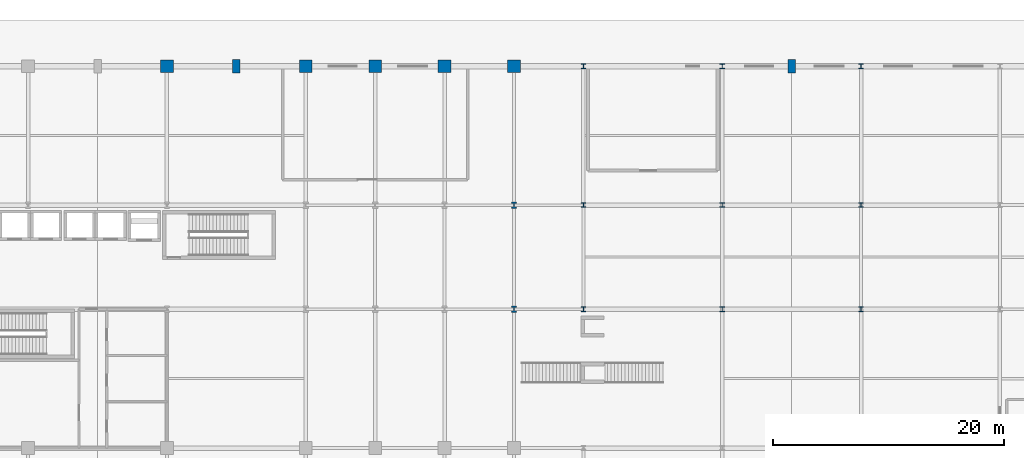
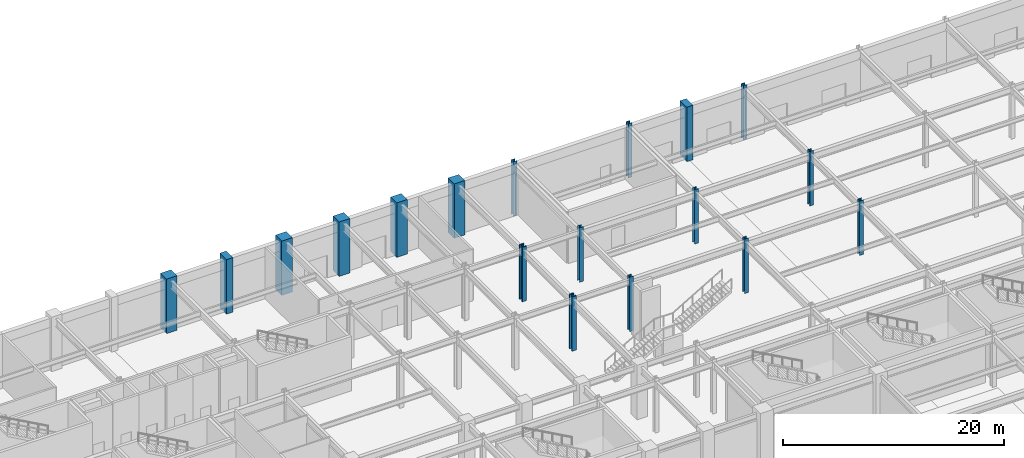
# One storey, part 10 of 44: 18 columns.
"""IFC4 building model written with IfcOpenShell, lengths in metres."""

from ifc_helpers import new_model, si_unit, direction, frame, origin, origin_2d, place, context, subcontext, project, spatial, rectangle, i_section, extrude, material, material_profile, profile_set, type_object, element, save


model = new_model("IFC4")

# Units and contexts
model_context = context("Model", 3, precision=1e-05, world=origin(), true_north=direction((0.0, 1.0)))
body_context = subcontext(model_context, "Body", "Model", "MODEL_VIEW")
ifc_project = project(units=[si_unit("LENGTHUNIT", "METRE"), si_unit("AREAUNIT", "SQUARE_METRE"), si_unit("VOLUMEUNIT", "CUBIC_METRE"), si_unit("PLANEANGLEUNIT", "RADIAN"), si_unit("MASSUNIT", "GRAM", prefix="KILO")], contexts=[model_context])

# Site, building, storey
site_placement = place(None, origin())
site = spatial("IfcSite", under=ifc_project, at=site_placement, CompositionType="ELEMENT")
building_placement = place(site_placement, origin())
building = spatial("IfcBuilding", under=site, at=building_placement, Name="Kaldorvane Square Convention Centre", CompositionType="ELEMENT")
storey_placement = place(building_placement, origin())
storey = spatial("IfcBuildingStorey", under=building, at=storey_placement, Name="L00", CompositionType="ELEMENT", Elevation=0.0)

# Columns
ifc_material_1 = material(Name="Concrete f'c = 55 MPa (Normalweight)", Category="concrete")
ifc_material_profile_1 = material_profile(ifc_material_1, rectangle(XDim=1.100006103515625, YDim=1.100006103515625, at=origin_2d()), Name="RC1100X1100")
ifc_profile_set_1 = profile_set([ifc_material_profile_1], Name="Concrete f'c = 55 MPa (Normalweight)")
column_type_1 = type_object("IfcColumnType", Name="COL-RC-1100", PredefinedType="COLUMN", material=ifc_profile_set_1)
for number, where, z_axis, x_axis, name in (
    (1, (66.0, 117.0, 0.0), (0.0, 0.0, 1.0), (1.0, 0.0, 0.0), "Column CC-01 (L00)"),
    (2, (78.0, 117.0, 0.0), (0.0, 0.0, 1.0), (1.0, 0.0, 0.0), "Column CC-01 (L00)"),
    (3, (84.0, 117.0, 0.0), (0.0, 0.0, 1.0), (1.0, 0.0, 0.0), "Column CC-01 (L00)"),
    (4, (90.0, 117.0, 0.0), (0.0, 0.0, 1.0), (1.0, 0.0, 0.0), "Column CC-01 (L00)"),
    (5, (96.0, 117.0, 0.0), (0.0, 0.0, 1.0), (1.0, 0.0, 0.0), "Column CC-01 (L00)"),
):
    element("IfcColumn", number, at=place(storey_placement, frame(where, z_axis=z_axis, x_axis=x_axis)), inside=storey, type_object=column_type_1, Name=name, PredefinedType="COLUMN", context=body_context, shape_type="SweptSolid", body=[
        extrude(rectangle(XDim=1.100006103515625, YDim=1.100006103515625, at=origin_2d()), origin(), (0.0, 0.0, 1.0), 6.0),
    ])
ifc_material_2 = material(Name="Steel ASTM A992 Gr. 50", Category="steel")
ifc_material_profile_2 = material_profile(ifc_material_2, i_section(OverallWidth=0.40130615234375, OverallDepth=0.3993072509765625, WebThickness=0.02490234375, FlangeThickness=0.0395965576171875, FilletRadius=0.0305023193359375, at=origin_2d()), Name="W14X211")
ifc_profile_set_2 = profile_set([ifc_material_profile_2], Name="Steel ASTM A992 Gr. 50")
column_type_2 = type_object("IfcColumnType", Name="COL-STL-211", PredefinedType="COLUMN", material=ifc_profile_set_2)
for number, where, z_axis, x_axis, name in (
    (6, (102.0, 96.0, 0.0), (0.0, 0.0, 1.0), (1.0, 0.0, 0.0), "Column SC-08 (L00)"),
    (7, (102.0, 105.0, 0.0), (0.0, 0.0, 1.0), (1.0, 0.0, 0.0), "Column SC-08 (L00)"),
    (8, (102.0, 117.0, 0.0), (0.0, 0.0, 1.0), (1.0, 0.0, 0.0), "Column SC-08 (L00)"),
    (9, (114.0, 96.0, 0.0), (0.0, 0.0, 1.0), (1.0, 0.0, 0.0), "Column SC-08 (L00)"),
    (10, (114.0, 105.0, 0.0), (0.0, 0.0, 1.0), (1.0, 0.0, 0.0), "Column SC-08 (L00)"),
    (11, (114.0, 117.0, 0.0), (0.0, 0.0, 1.0), (1.0, 0.0, 0.0), "Column SC-08 (L00)"),
    (12, (126.0, 96.0, 0.0), (0.0, 0.0, 1.0), (1.0, 0.0, 0.0), "Column SC-08 (L00)"),
    (13, (126.0, 105.0, 0.0), (0.0, 0.0, 1.0), (1.0, 0.0, 0.0), "Column SC-08 (L00)"),
    (14, (126.0, 117.0, 0.0), (0.0, 0.0, 1.0), (1.0, 0.0, 0.0), "Column SC-08 (L00)"),
):
    element("IfcColumn", number, at=place(storey_placement, frame(where, z_axis=z_axis, x_axis=x_axis)), inside=storey, type_object=column_type_2, Name=name, PredefinedType="COLUMN", context=body_context, shape_type="SweptSolid", body=[
        extrude(i_section(OverallWidth=0.40130615234375, OverallDepth=0.3993072509765625, WebThickness=0.02490234375, FlangeThickness=0.0395965576171875, FilletRadius=0.0305023193359375, at=origin_2d()), origin(), (0.0, 0.0, 1.0), 6.0),
    ])
ifc_material_profile_3 = material_profile(ifc_material_2, i_section(OverallWidth=0.45440673828125, OverallDepth=0.569000244140625, WebThickness=0.0780029296875, FlangeThickness=0.12469482421875, FilletRadius=0.0305023193359375, at=origin_2d()), Name="W14X730")
ifc_profile_set_3 = profile_set([ifc_material_profile_3], Name="Steel ASTM A992 Gr. 50")
column_type_3 = type_object("IfcColumnType", Name="COL-STL-730", PredefinedType="COLUMN", material=ifc_profile_set_3)
for number, where, z_axis, x_axis, name in (
    (15, (96.0, 96.0, 0.0), (0.0, 0.0, 1.0), (1.0, 0.0, 0.0), "Column SC-01 (L00)"),
    (16, (96.0, 105.0, 0.0), (0.0, 0.0, 1.0), (1.0, 0.0, 0.0), "Column SC-01 (L00)"),
):
    element("IfcColumn", number, at=place(storey_placement, frame(where, z_axis=z_axis, x_axis=x_axis)), inside=storey, type_object=column_type_3, Name=name, PredefinedType="COLUMN", context=body_context, shape_type="SweptSolid", body=[
        extrude(i_section(OverallWidth=0.45440673828125, OverallDepth=0.569000244140625, WebThickness=0.0780029296875, FlangeThickness=0.12469482421875, FilletRadius=0.0305023193359375, at=origin_2d()), origin(), (0.0, 0.0, 1.0), 6.0),
    ])
ifc_material_profile_4 = material_profile(ifc_material_1, rectangle(XDim=0.649993896484375, YDim=1.1999969482421875, at=origin_2d()), Name="PIL1200X650")
ifc_profile_set_4 = profile_set([ifc_material_profile_4], Name="Concrete f'c = 55 MPa (Normalweight)")
column_type_4 = type_object("IfcColumnType", Name="PIL-BRUT-1200", PredefinedType="PILASTER", material=ifc_profile_set_4)
for number, where, z_axis, x_axis, name in (
    (17, (72.0, 117.0, 0.0), (0.0, 0.0, 1.0), (1.0, 0.0, 0.0), "Brutalist Colonnade Pilaster (L00)"),
    (18, (120.0, 117.0, 0.0), (0.0, 0.0, 1.0), (1.0, 0.0, 0.0), "Brutalist Colonnade Pilaster (L00)"),
):
    element("IfcColumn", number, at=place(storey_placement, frame(where, z_axis=z_axis, x_axis=x_axis)), inside=storey, type_object=column_type_4, Name=name, PredefinedType="PILASTER", context=body_context, shape_type="SweptSolid", body=[
        extrude(rectangle(XDim=0.649993896484375, YDim=1.1999969482421875, at=origin_2d()), origin(), (0.0, 0.0, 1.0), 6.0),
    ])

save(model, "model.ifc")
